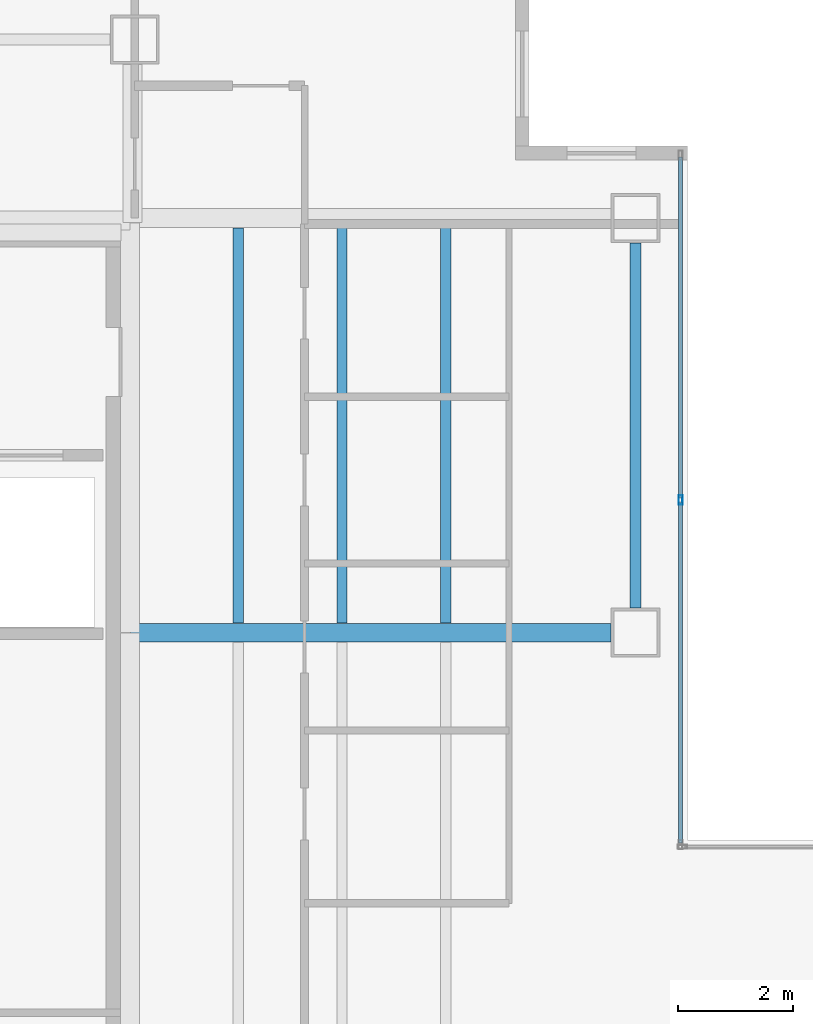
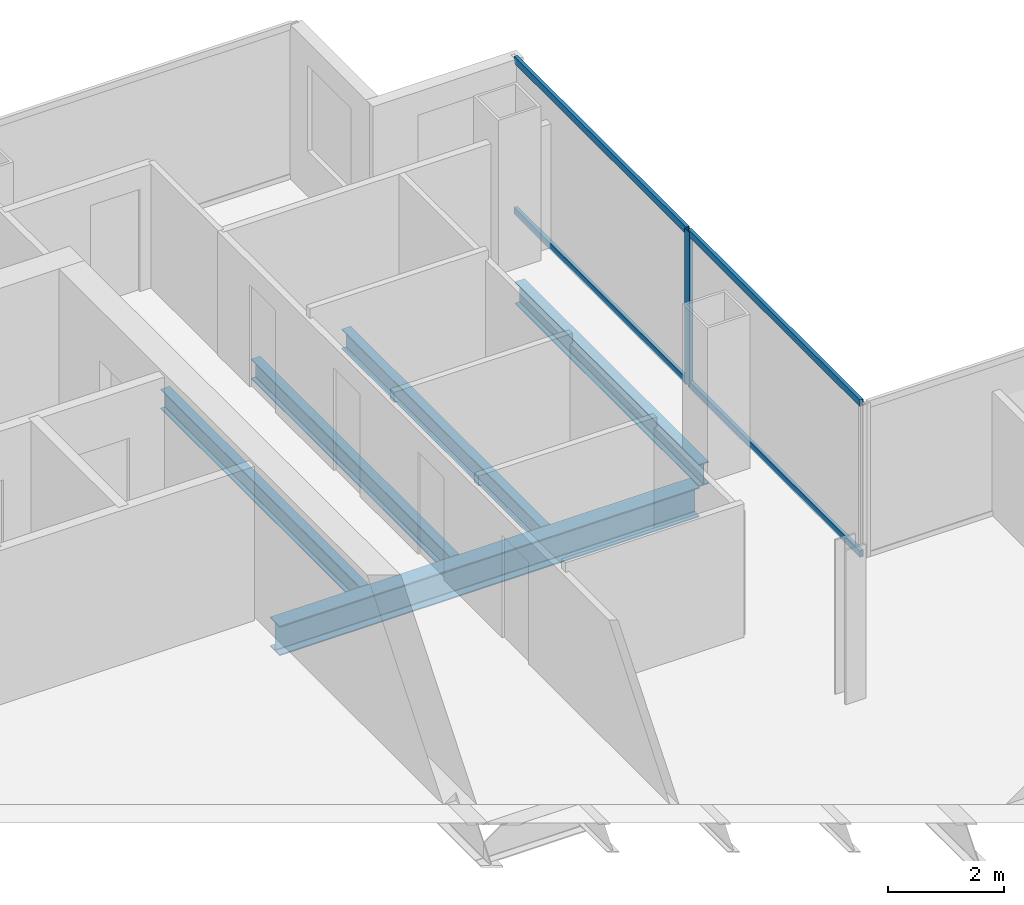
# One storey, part 9 of 23: 5 beams, 5 members, 1 element without a shape of its own.
"""IFC4 building model written with IfcOpenShell, lengths in metres."""

import ifcopenshell
import ifcopenshell.guid

model = None  # the IFC model being written
_history = None  # IfcOwnerHistory: only IFC2X3 demands one
_inside = {}  # id of a spatial element -> (the spatial element, [elements in it])
_under = {}  # id of a project, library or spatial element -> (it, [spatial elements below it])
_declared = {}  # id of a project -> (the project, [libraries it declares])
_typed = {}  # id of a type object -> (the type object, [elements of that type])
_made_of = {}  # id of a material, layer set ... -> (it, [elements and type objects made of it])


def new_model(schema):
    """Start an empty IFC model of exactly this schema.

    Asked for "IFC4X3", IfcOpenShell would pick the latest addendum, in which some entities
    have other attributes; the version numbers below select the first issue.
    IFC2X3 requires an IfcOwnerHistory on every rooted entity: one is made here for all.
    """
    global model, _history
    if schema == "IFC4X3":
        model = ifcopenshell.file(schema_version=(4, 3, 0, 0))
    else:
        model = ifcopenshell.file(schema=schema)
    _inside.clear()
    _under.clear()
    _declared.clear()
    _typed.clear()
    _made_of.clear()
    _history = None
    if model.schema == "IFC2X3":
        org = make("IfcOrganization", Name="unknown")
        user = make(
            "IfcPersonAndOrganization",
            ThePerson=make("IfcPerson", FamilyName="unknown"),
            TheOrganization=org,
        )
        app = make(
            "IfcApplication",
            ApplicationDeveloper=org,
            Version="unknown",
            ApplicationFullName="unknown",
            ApplicationIdentifier="unknown",
        )
        _history = make(
            "IfcOwnerHistory",
            OwningUser=user,
            OwningApplication=app,
            ChangeAction="ADDED",
            CreationDate=0,
        )
    return model


def make(cls, **values):
    """One entity of the class cls with the attributes given. An attribute that is None is left unset."""
    return model.create_entity(
        cls, **{name: value for name, value in values.items() if value is not None}
    )


def rooted(cls, **values):
    """An entity with a GlobalId (a new one), such as an element, a storey or a relation."""
    return make(cls, GlobalId=ifcopenshell.guid.new(), OwnerHistory=_history, **values)


def si_unit(unit_type, name, prefix=None):
    """IfcSIUnit, for example si_unit("LENGTHUNIT", "METRE", prefix="MILLI")."""
    return make("IfcSIUnit", UnitType=unit_type, Prefix=prefix, Name=name)


def assignment(units):
    """IfcUnitAssignment: the units of a project."""
    return None if units is None else make("IfcUnitAssignment", Units=units)


def point(xyz):
    """IfcCartesianPoint."""
    return None if xyz is None else make("IfcCartesianPoint", Coordinates=xyz)


def direction(xyz):
    """IfcDirection."""
    return None if xyz is None else make("IfcDirection", DirectionRatios=xyz)


def frame(location, z_axis=None, x_axis=None):
    """IfcAxis2Placement3D, a coordinate frame: its origin and axes. An axis left out is left unset."""
    return make(
        "IfcAxis2Placement3D",
        Location=point(location),
        Axis=direction(z_axis),
        RefDirection=direction(x_axis),
    )


def frame_2d(location, x_axis=None):
    """IfcAxis2Placement2D, a coordinate frame in the plane: its origin and x axis."""
    return make(
        "IfcAxis2Placement2D", Location=point(location), RefDirection=direction(x_axis)
    )


def origin():
    """The frame at (0, 0, 0) with its axes left unset."""
    return frame((0.0, 0.0, 0.0))


def origin_2d():
    """The frame at (0, 0) in the plane with its x axis left unset."""
    return frame_2d((0.0, 0.0))


def place(relative_to, where):
    """IfcLocalPlacement: puts the frame where relative to a parent placement (None: the world)."""
    return make(
        "IfcLocalPlacement", PlacementRelTo=relative_to, RelativePlacement=where
    )


def context(
    kind, dimensions, precision=None, world=None, true_north=None, identifier=None
):
    """IfcGeometricRepresentationContext, for example the 3D "Model" context."""
    return make(
        "IfcGeometricRepresentationContext",
        ContextIdentifier=identifier,
        ContextType=kind,
        CoordinateSpaceDimension=dimensions,
        Precision=precision,
        WorldCoordinateSystem=world,
        TrueNorth=true_north,
    )


def subcontext(parent, identifier, kind, view, scale=None):
    """IfcGeometricRepresentationSubContext, for example "Body" below "Model"."""
    return make(
        "IfcGeometricRepresentationSubContext",
        ContextIdentifier=identifier,
        ContextType=kind,
        ParentContext=parent,
        TargetScale=scale,
        TargetView=view,
    )


def project(units=None, contexts=None):
    """IfcProject with its units and contexts."""
    return rooted(
        "IfcProject",
        Name="project",
        RepresentationContexts=contexts,
        UnitsInContext=assignment(units),
    )


def spatial(cls, under=None, at=None, **own):
    """A site, building, storey or space (cls), placed at a placement, below another one or the project."""
    s = rooted(cls, ObjectPlacement=at, **own)
    if under is not None:
        _under.setdefault(under.id(), (under, []))[1].append(s)
    return s


def profile(cls, at=None, kind="AREA", **sizes):
    """A parametric profile (cls). Its sizes go by their IFC names, for example OverallWidth=200.0."""
    return make(cls, ProfileType=kind, Position=at, **sizes)


def hollow_rectangle(**sizes):
    """IfcRectangleHollowProfileDef."""
    return profile("IfcRectangleHollowProfileDef", **sizes)


def i_section(**sizes):
    """IfcIShapeProfileDef."""
    return profile("IfcIShapeProfileDef", **sizes)


def extrude(swept, where, along, depth):
    """IfcExtrudedAreaSolid: the profile swept, set in the frame where, extruded along a direction by depth."""
    return make(
        "IfcExtrudedAreaSolid",
        SweptArea=swept,
        Position=where,
        ExtrudedDirection=direction(along),
        Depth=depth,
    )


def shape(context_of_items, identifier, shape_type, items):
    """IfcShapeRepresentation: the items that make up one representation, for example the "Body"."""
    return make(
        "IfcShapeRepresentation",
        ContextOfItems=context_of_items,
        RepresentationIdentifier=identifier,
        RepresentationType=shape_type,
        Items=items,
    )


def material(Name=None, Category=None):
    """IfcMaterial."""
    return make("IfcMaterial", Name=Name, Category=Category)


def material_profile(
    of_material, cross_section, Name=None, Category=None, Priority=None
):
    """IfcMaterialProfile: a cross section and its material."""
    return make(
        "IfcMaterialProfile",
        Name=Name,
        Material=of_material,
        Profile=cross_section,
        Priority=Priority,
        Category=Category,
    )


def profile_set(profiles, Name=None, composite=None):
    """IfcMaterialProfileSet."""
    return make(
        "IfcMaterialProfileSet",
        Name=Name,
        MaterialProfiles=profiles,
        CompositeProfile=composite,
    )


def made_of(thing, what):
    """Note that an element or type object is made of a material, layer set ...; save() writes the relation."""
    if what is not None:
        _made_of.setdefault(what.id(), (what, []))[1].append(thing)
    return thing


def type_object(cls, material=None, **own):
    """A type object (cls), such as IfcWallType, which elements share."""
    return made_of(rooted(cls, **own), material)


def element(
    cls,
    number,
    at=None,
    inside=None,
    cuts=None,
    type_object=None,
    material=None,
    context=None,
    identifier="Body",
    shape_type=None,
    held_by="IfcProductDefinitionShape",
    body=None,
    shapes=None,
    **own,
):
    """One element of the class cls, such as IfcWall. Its Tag is "e" and its number.

    at: its placement. inside: the storey or other place that contains it. cuts: it is an
    opening in that element (IfcRelVoidsElement). A single representation is given by context,
    identifier, shape_type and body (its items); several are given by shapes. held_by: the class
    of the entity that holds the representations. save() writes the other relations.
    """
    e = rooted(cls, Tag="e%d" % number, ObjectPlacement=at, **own)
    if body is not None:
        shapes = [shape(context, identifier, shape_type, body)]
    if shapes is not None:
        e.Representation = make(held_by, Representations=shapes)
    if inside is not None:
        _inside.setdefault(inside.id(), (inside, []))[1].append(e)
    if cuts is not None:
        rooted(
            "IfcRelVoidsElement", RelatingBuildingElement=cuts, RelatedOpeningElement=e
        )
    if type_object is not None:
        _typed.setdefault(type_object.id(), (type_object, []))[1].append(e)
    return made_of(e, material)


def aggregate(whole, parts):
    """IfcRelAggregates: a whole, such as a stair, and the parts it consists of."""
    return rooted("IfcRelAggregates", RelatingObject=whole, RelatedObjects=parts)


def save(model, path):
    """Write the relations noted so far, then the file.

    IfcRelAggregates (storeys below a building ...), IfcRelContainedInSpatialStructure (elements
    in a storey), IfcRelDefinesByType, IfcRelAssociatesMaterial and IfcRelDeclares: one each for
    every whole, place, type object, material and project.
    """
    for whole, parts in _under.values():
        aggregate(whole, parts)
    for where, things in _inside.values():
        rooted(
            "IfcRelContainedInSpatialStructure",
            RelatedElements=things,
            RelatingStructure=where,
        )
    for kind, things in _typed.values():
        rooted("IfcRelDefinesByType", RelatedObjects=things, RelatingType=kind)
    for what, things in _made_of.values():
        rooted("IfcRelAssociatesMaterial", RelatedObjects=things, RelatingMaterial=what)
    for by, libraries in _declared.values():
        rooted("IfcRelDeclares", RelatingContext=by, RelatedDefinitions=libraries)
    model.write(path)


model = new_model("IFC4")

# Units and contexts
model_context = context("Model", 3, precision=1e-05, world=origin(), true_north=direction((0.0, 1.0)))
body_context = subcontext(model_context, "Body", "Model", "MODEL_VIEW")
ifc_project = project(units=[si_unit("LENGTHUNIT", "METRE"), si_unit("AREAUNIT", "SQUARE_METRE"), si_unit("VOLUMEUNIT", "CUBIC_METRE"), si_unit("PLANEANGLEUNIT", "RADIAN"), si_unit("MASSUNIT", "GRAM", prefix="KILO")], contexts=[model_context])

# Site, building, storey
site_placement = place(None, origin())
site = spatial("IfcSite", under=ifc_project, at=site_placement, CompositionType="ELEMENT")
building_placement = place(site_placement, origin())
building = spatial("IfcBuilding", under=site, at=building_placement, Name="Cobrela Telecom Tower", CompositionType="ELEMENT")
storey_placement = place(building_placement, frame((0.0, 0.0, 176.75)))
storey = spatial("IfcBuildingStorey", under=building, at=storey_placement, Name="L44", CompositionType="ELEMENT", Elevation=176.75)

# Beams
ifc_material_1 = material(Name="Steel ASTM A992 Grade 50", Category="steel")
ifc_material_profile_1 = material_profile(ifc_material_1, i_section(OverallWidth=0.327880859375, OverallDepth=0.6220703125, WebThickness=0.015380859375, FlangeThickness=0.0244140625, FilletRadius=0.014892578125, at=origin_2d()), Name="W24X131")
ifc_profile_set_1 = profile_set([ifc_material_profile_1], Name="Steel ASTM A992 Grade 50")
beam_type_1 = type_object("IfcBeamType", Name="BM-GIRD-06", PredefinedType="USERDEFINED", material=ifc_profile_set_1)
beam_1_placement = place(storey_placement, frame((14.324951171875, 28.800048828125, -0.571044921875), z_axis=(1.0, 0.0, 0.0), x_axis=(0.0, 1.0, 0.0)))
element("IfcBeam", 1, at=beam_1_placement, inside=storey, type_object=beam_type_1, Name="L44 Primary Girder X19", ObjectType="GIRDER", PredefinedType="USERDEFINED", context=body_context, shape_type="SweptSolid", body=[
    extrude(i_section(OverallWidth=0.327880859375, OverallDepth=0.6220703125, WebThickness=0.015380859375, FlangeThickness=0.0244140625, FilletRadius=0.014892578125, at=origin_2d()), origin(), (0.0, 0.0, 1.0), 8.344970703125),
])
ifc_material_profile_2 = material_profile(ifc_material_1, i_section(OverallWidth=0.179931640625, OverallDepth=0.4169921875, WebThickness=0.010986328125, FlangeThickness=0.01806640625, FilletRadius=0.011962890625, at=origin_2d()), Name="W16X57")
ifc_profile_set_2 = profile_set([ifc_material_profile_2], Name="Steel ASTM A992 Grade 50")
beam_type_2 = type_object("IfcBeamType", Name="BM-JOIST-04", PredefinedType="JOIST", material=ifc_profile_set_2)
for number, where, z_axis, x_axis, name in (
    (2, (16.199951171875, 28.968994140625, -0.468505859375), (0.0, 1.0, 0.0), (-1.0, 0.0, 0.0), "L44 Secondary Composite Floor Beam J04"),
    (3, (18.0, 28.968994140625, -0.468505859375), (0.0, 1.0, 0.0), (-1.0, 0.0, 0.0), "L44 Secondary Composite Floor Beam J08"),
    (4, (19.800048828125, 28.968994140625, -0.468505859375), (0.0, 1.0, 0.0), (-1.0, 0.0, 0.0), "L44 Secondary Composite Floor Beam J12"),
):
    element("IfcBeam", number, at=place(storey_placement, frame(where, z_axis=z_axis, x_axis=x_axis)), inside=storey, type_object=beam_type_2, Name=name, PredefinedType="JOIST", context=body_context, shape_type="SweptSolid", body=[
        extrude(i_section(OverallWidth=0.179931640625, OverallDepth=0.4169921875, WebThickness=0.010986328125, FlangeThickness=0.01806640625, FilletRadius=0.011962890625, at=origin_2d()), origin(), (0.0, 0.0, 1.0), 6.862060546875),
    ])
ifc_material_profile_3 = material_profile(ifc_material_1, i_section(OverallWidth=0.193115234375, OverallDepth=0.467041015625, WebThickness=0.011474609375, FlangeThickness=0.01904296875, FilletRadius=0.012939453125, at=origin_2d()), Name="W18X65")
ifc_profile_set_3 = profile_set([ifc_material_profile_3], Name="Steel ASTM A992 Grade 50")
beam_type_3 = type_object("IfcBeamType", Name="BM-SPAND-05", PredefinedType="SPANDREL", material=ifc_profile_set_3)
beam_2_placement = place(storey_placement, frame((23.10009765625, 29.22998046875, -0.493408203125), z_axis=(0.0, 1.0, 0.0), x_axis=(-1.0, 0.0, 0.0)))
element("IfcBeam", 5, at=beam_2_placement, inside=storey, type_object=beam_type_3, Name="L44 Perimeter Spandrel Y35", PredefinedType="SPANDREL", context=body_context, shape_type="SweptSolid", body=[
    extrude(i_section(OverallWidth=0.193115234375, OverallDepth=0.467041015625, WebThickness=0.011474609375, FlangeThickness=0.01904296875, FilletRadius=0.012939453125, at=origin_2d()), origin(), (0.0, 0.0, 1.0), 6.340087890625),
])

# Curtain wall, members
ifc_material_2 = material(Name="Anodized Bronze Aluminium 6063-T6", Category="aluminium")
curtain_wall_type = type_object("IfcCurtainWallType", Name="CW-SYS-OFF-LO", PredefinedType="USERDEFINED", material=ifc_material_2)
curtain_wall_placement = place(storey_placement, origin())
curtain_wall = element("IfcCurtainWall", 6, at=curtain_wall_placement, inside=storey, type_object=curtain_wall_type, Name="L44 Unitised Bronze Curtain Wall 10", ObjectType="UNITISED CURTAIN WALL", PredefinedType="USERDEFINED")
ifc_material_profile_4 = material_profile(ifc_material_2, hollow_rectangle(XDim=0.070068359375, YDim=0.159912109375, WallThickness=0.00390625, at=origin_2d()), Name="ALU 70x160x4")
ifc_profile_set_4 = profile_set([ifc_material_profile_4], Name="Anodized Bronze Aluminium 6063-T6")
member_type_1 = type_object("IfcMemberType", Name="CW-SYS-OFF-LO-MUL", PredefinedType="MULLION", material=ifc_profile_set_4)
member_1_placement = place(storey_placement, frame((23.8798828125, 31.10498046875, 0.0), z_axis=(0.0, 0.0, 1.0), x_axis=(1.0, 0.0, 0.0)))
member_1 = element("IfcMember", 7, at=member_1_placement, type_object=member_type_1, Name="CW-OFF-LO mullion 2", PredefinedType="MULLION", context=body_context, shape_type="SweptSolid", body=[
    extrude(hollow_rectangle(XDim=0.070068359375, YDim=0.159912109375, WallThickness=0.00390625, at=origin_2d()), origin(), (0.0, 0.0, 1.0), 3.239990234375),
])
ifc_material_profile_5 = material_profile(ifc_material_2, hollow_rectangle(XDim=0.070068359375, YDim=0.139892578125, WallThickness=0.00390625, at=origin_2d()), Name="ALU 70x140x4")
ifc_profile_set_5 = profile_set([ifc_material_profile_5], Name="Anodized Bronze Aluminium 6063-T6")
member_type_2 = type_object("IfcMemberType", Name="CW-SYS-OFF-LO-TRN", PredefinedType="USERDEFINED", material=ifc_profile_set_5)
member_2_placement = place(storey_placement, frame((23.8798828125, 37.06005859375, 0.034912109375), z_axis=(0.0, -1.0, 0.0), x_axis=(1.0, 0.0, 0.0)))
member_2 = element("IfcMember", 8, at=member_2_placement, type_object=member_type_2, Name="CW-OFF-LO transom 1.1", ObjectType="TRANSOM", PredefinedType="USERDEFINED", context=body_context, shape_type="SweptSolid", body=[
    extrude(hollow_rectangle(XDim=0.070068359375, YDim=0.139892578125, WallThickness=0.00390625, at=origin_2d()), origin(), (0.0, 0.0, 1.0), 5.920166015625),
])
member_3_placement = place(storey_placement, frame((23.8798828125, 37.06005859375, 3.205078125), z_axis=(0.0, -1.0, 0.0), x_axis=(1.0, 0.0, 0.0)))
member_3 = element("IfcMember", 9, at=member_3_placement, type_object=member_type_2, Name="CW-OFF-LO transom 1.2", ObjectType="TRANSOM", PredefinedType="USERDEFINED", context=body_context, shape_type="SweptSolid", body=[
    extrude(hollow_rectangle(XDim=0.070068359375, YDim=0.139892578125, WallThickness=0.00390625, at=origin_2d()), origin(), (0.0, 0.0, 1.0), 5.920166015625),
])
member_4_placement = place(storey_placement, frame((23.8798828125, 31.070068359375, 0.034912109375), z_axis=(0.0, -1.0, 0.0), x_axis=(1.0, 0.0, 0.0)))
member_4 = element("IfcMember", 10, at=member_4_placement, type_object=member_type_2, Name="CW-OFF-LO transom 2.1", ObjectType="TRANSOM", PredefinedType="USERDEFINED", context=body_context, shape_type="SweptSolid", body=[
    extrude(hollow_rectangle(XDim=0.070068359375, YDim=0.139892578125, WallThickness=0.00390625, at=origin_2d()), origin(), (0.0, 0.0, 1.0), 5.920166015625),
])
member_5_placement = place(storey_placement, frame((23.8798828125, 31.070068359375, 3.205078125), z_axis=(0.0, -1.0, 0.0), x_axis=(1.0, 0.0, 0.0)))
member_5 = element("IfcMember", 11, at=member_5_placement, type_object=member_type_2, Name="CW-OFF-LO transom 2.2", ObjectType="TRANSOM", PredefinedType="USERDEFINED", context=body_context, shape_type="SweptSolid", body=[
    extrude(hollow_rectangle(XDim=0.070068359375, YDim=0.139892578125, WallThickness=0.00390625, at=origin_2d()), origin(), (0.0, 0.0, 1.0), 5.920166015625),
])
aggregate(curtain_wall, [member_1, member_2, member_3, member_4, member_5])

save(model, "model.ifc")
